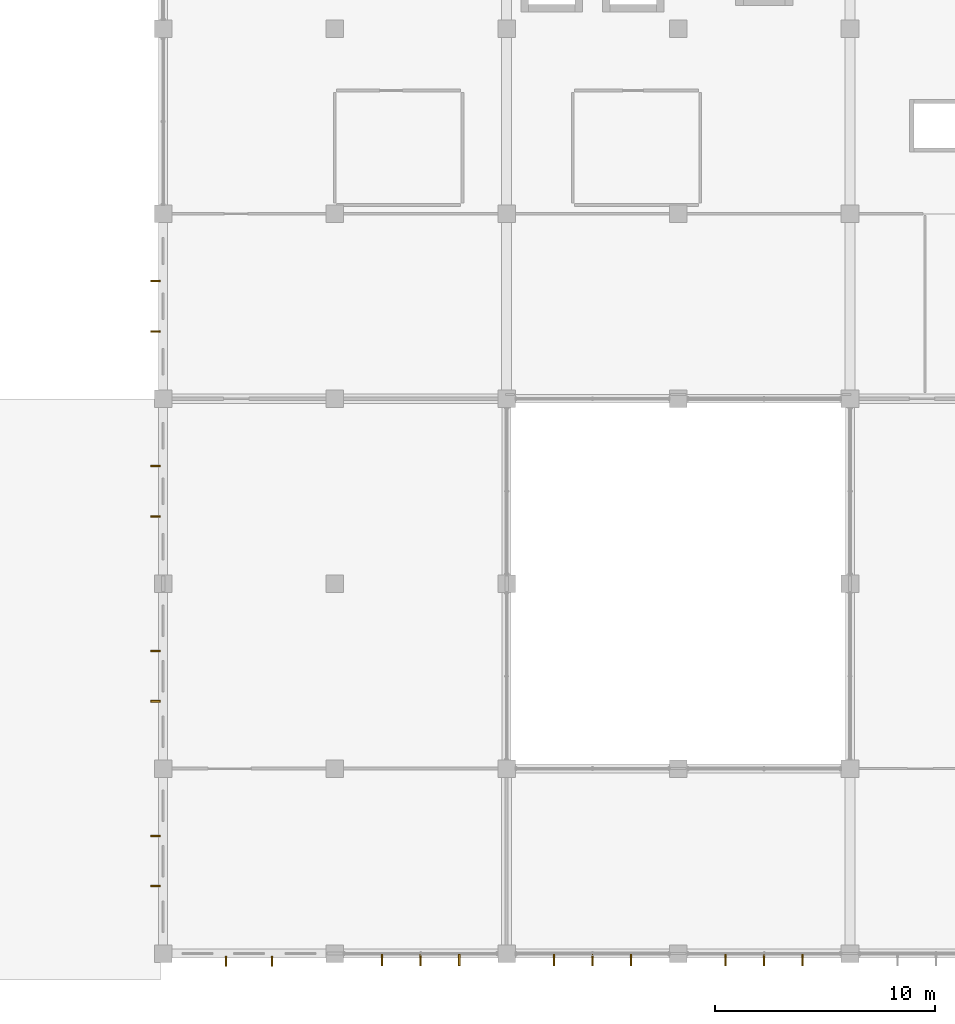
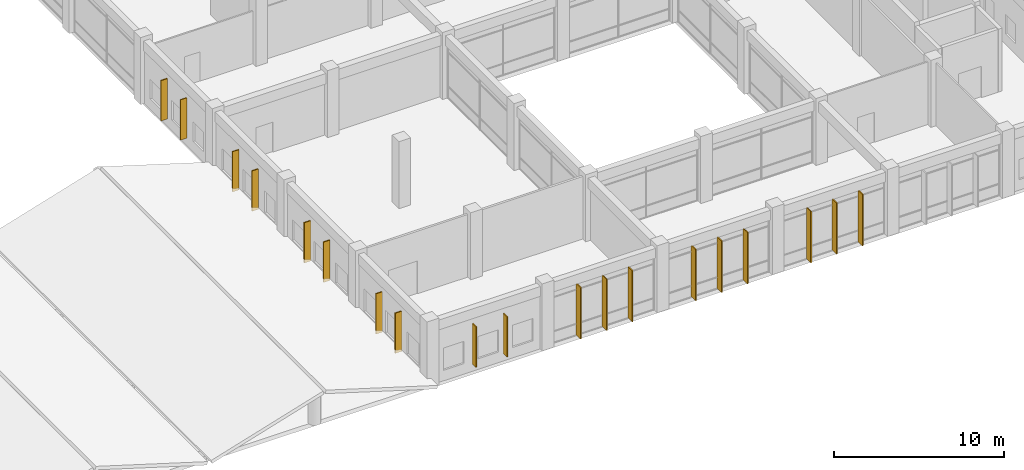
# One storey, part 55 of 62: 19 shading devices.
"""IFC4 building model written with IfcOpenShell, lengths in metres."""

import ifcopenshell
import ifcopenshell.guid

model = None  # the IFC model being written
_history = None  # IfcOwnerHistory: only IFC2X3 demands one
_inside = {}  # id of a spatial element -> (the spatial element, [elements in it])
_under = {}  # id of a project, library or spatial element -> (it, [spatial elements below it])
_declared = {}  # id of a project -> (the project, [libraries it declares])
_typed = {}  # id of a type object -> (the type object, [elements of that type])
_made_of = {}  # id of a material, layer set ... -> (it, [elements and type objects made of it])


def new_model(schema):
    """Start an empty IFC model of exactly this schema.

    Asked for "IFC4X3", IfcOpenShell would pick the latest addendum, in which some entities
    have other attributes; the version numbers below select the first issue.
    IFC2X3 requires an IfcOwnerHistory on every rooted entity: one is made here for all.
    """
    global model, _history
    if schema == "IFC4X3":
        model = ifcopenshell.file(schema_version=(4, 3, 0, 0))
    else:
        model = ifcopenshell.file(schema=schema)
    _inside.clear()
    _under.clear()
    _declared.clear()
    _typed.clear()
    _made_of.clear()
    _history = None
    if model.schema == "IFC2X3":
        org = make("IfcOrganization", Name="unknown")
        user = make(
            "IfcPersonAndOrganization",
            ThePerson=make("IfcPerson", FamilyName="unknown"),
            TheOrganization=org,
        )
        app = make(
            "IfcApplication",
            ApplicationDeveloper=org,
            Version="unknown",
            ApplicationFullName="unknown",
            ApplicationIdentifier="unknown",
        )
        _history = make(
            "IfcOwnerHistory",
            OwningUser=user,
            OwningApplication=app,
            ChangeAction="ADDED",
            CreationDate=0,
        )
    return model


def make(cls, **values):
    """One entity of the class cls with the attributes given. An attribute that is None is left unset."""
    return model.create_entity(
        cls, **{name: value for name, value in values.items() if value is not None}
    )


def rooted(cls, **values):
    """An entity with a GlobalId (a new one), such as an element, a storey or a relation."""
    return make(cls, GlobalId=ifcopenshell.guid.new(), OwnerHistory=_history, **values)


def si_unit(unit_type, name, prefix=None):
    """IfcSIUnit, for example si_unit("LENGTHUNIT", "METRE", prefix="MILLI")."""
    return make("IfcSIUnit", UnitType=unit_type, Prefix=prefix, Name=name)


def assignment(units):
    """IfcUnitAssignment: the units of a project."""
    return None if units is None else make("IfcUnitAssignment", Units=units)


def point(xyz):
    """IfcCartesianPoint."""
    return None if xyz is None else make("IfcCartesianPoint", Coordinates=xyz)


def direction(xyz):
    """IfcDirection."""
    return None if xyz is None else make("IfcDirection", DirectionRatios=xyz)


def frame(location, z_axis=None, x_axis=None):
    """IfcAxis2Placement3D, a coordinate frame: its origin and axes. An axis left out is left unset."""
    return make(
        "IfcAxis2Placement3D",
        Location=point(location),
        Axis=direction(z_axis),
        RefDirection=direction(x_axis),
    )


def frame_2d(location, x_axis=None):
    """IfcAxis2Placement2D, a coordinate frame in the plane: its origin and x axis."""
    return make(
        "IfcAxis2Placement2D", Location=point(location), RefDirection=direction(x_axis)
    )


def origin():
    """The frame at (0, 0, 0) with its axes left unset."""
    return frame((0.0, 0.0, 0.0))


def origin_2d():
    """The frame at (0, 0) in the plane with its x axis left unset."""
    return frame_2d((0.0, 0.0))


def place(relative_to, where):
    """IfcLocalPlacement: puts the frame where relative to a parent placement (None: the world)."""
    return make(
        "IfcLocalPlacement", PlacementRelTo=relative_to, RelativePlacement=where
    )


def context(
    kind, dimensions, precision=None, world=None, true_north=None, identifier=None
):
    """IfcGeometricRepresentationContext, for example the 3D "Model" context."""
    return make(
        "IfcGeometricRepresentationContext",
        ContextIdentifier=identifier,
        ContextType=kind,
        CoordinateSpaceDimension=dimensions,
        Precision=precision,
        WorldCoordinateSystem=world,
        TrueNorth=true_north,
    )


def subcontext(parent, identifier, kind, view, scale=None):
    """IfcGeometricRepresentationSubContext, for example "Body" below "Model"."""
    return make(
        "IfcGeometricRepresentationSubContext",
        ContextIdentifier=identifier,
        ContextType=kind,
        ParentContext=parent,
        TargetScale=scale,
        TargetView=view,
    )


def project(units=None, contexts=None):
    """IfcProject with its units and contexts."""
    return rooted(
        "IfcProject",
        Name="project",
        RepresentationContexts=contexts,
        UnitsInContext=assignment(units),
    )


def spatial(cls, under=None, at=None, **own):
    """A site, building, storey or space (cls), placed at a placement, below another one or the project."""
    s = rooted(cls, ObjectPlacement=at, **own)
    if under is not None:
        _under.setdefault(under.id(), (under, []))[1].append(s)
    return s


def profile(cls, at=None, kind="AREA", **sizes):
    """A parametric profile (cls). Its sizes go by their IFC names, for example OverallWidth=200.0."""
    return make(cls, ProfileType=kind, Position=at, **sizes)


def rectangle(**sizes):
    """IfcRectangleProfileDef."""
    return profile("IfcRectangleProfileDef", **sizes)


def extrude(swept, where, along, depth):
    """IfcExtrudedAreaSolid: the profile swept, set in the frame where, extruded along a direction by depth."""
    return make(
        "IfcExtrudedAreaSolid",
        SweptArea=swept,
        Position=where,
        ExtrudedDirection=direction(along),
        Depth=depth,
    )


def shape(context_of_items, identifier, shape_type, items):
    """IfcShapeRepresentation: the items that make up one representation, for example the "Body"."""
    return make(
        "IfcShapeRepresentation",
        ContextOfItems=context_of_items,
        RepresentationIdentifier=identifier,
        RepresentationType=shape_type,
        Items=items,
    )


def material(Name=None, Category=None):
    """IfcMaterial."""
    return make("IfcMaterial", Name=Name, Category=Category)


def layer(
    of_material, thickness, ventilated=None, Name=None, Category=None, Priority=None
):
    """IfcMaterialLayer: one layer of a wall or slab, of a material (None: an air gap)."""
    return make(
        "IfcMaterialLayer",
        Material=of_material,
        LayerThickness=thickness,
        IsVentilated=ventilated,
        Name=Name,
        Category=Category,
        Priority=Priority,
    )


def layer_set(layers, Name=None):
    """IfcMaterialLayerSet."""
    return make("IfcMaterialLayerSet", MaterialLayers=layers, LayerSetName=Name)


def made_of(thing, what):
    """Note that an element or type object is made of a material, layer set ...; save() writes the relation."""
    if what is not None:
        _made_of.setdefault(what.id(), (what, []))[1].append(thing)
    return thing


def type_object(cls, material=None, **own):
    """A type object (cls), such as IfcWallType, which elements share."""
    return made_of(rooted(cls, **own), material)


def element(
    cls,
    number,
    at=None,
    inside=None,
    cuts=None,
    type_object=None,
    material=None,
    context=None,
    identifier="Body",
    shape_type=None,
    held_by="IfcProductDefinitionShape",
    body=None,
    shapes=None,
    **own,
):
    """One element of the class cls, such as IfcWall. Its Tag is "e" and its number.

    at: its placement. inside: the storey or other place that contains it. cuts: it is an
    opening in that element (IfcRelVoidsElement). A single representation is given by context,
    identifier, shape_type and body (its items); several are given by shapes. held_by: the class
    of the entity that holds the representations. save() writes the other relations.
    """
    e = rooted(cls, Tag="e%d" % number, ObjectPlacement=at, **own)
    if body is not None:
        shapes = [shape(context, identifier, shape_type, body)]
    if shapes is not None:
        e.Representation = make(held_by, Representations=shapes)
    if inside is not None:
        _inside.setdefault(inside.id(), (inside, []))[1].append(e)
    if cuts is not None:
        rooted(
            "IfcRelVoidsElement", RelatingBuildingElement=cuts, RelatedOpeningElement=e
        )
    if type_object is not None:
        _typed.setdefault(type_object.id(), (type_object, []))[1].append(e)
    return made_of(e, material)


def aggregate(whole, parts):
    """IfcRelAggregates: a whole, such as a stair, and the parts it consists of."""
    return rooted("IfcRelAggregates", RelatingObject=whole, RelatedObjects=parts)


def save(model, path):
    """Write the relations noted so far, then the file.

    IfcRelAggregates (storeys below a building ...), IfcRelContainedInSpatialStructure (elements
    in a storey), IfcRelDefinesByType, IfcRelAssociatesMaterial and IfcRelDeclares: one each for
    every whole, place, type object, material and project.
    """
    for whole, parts in _under.values():
        aggregate(whole, parts)
    for where, things in _inside.values():
        rooted(
            "IfcRelContainedInSpatialStructure",
            RelatedElements=things,
            RelatingStructure=where,
        )
    for kind, things in _typed.values():
        rooted("IfcRelDefinesByType", RelatedObjects=things, RelatingType=kind)
    for what, things in _made_of.values():
        rooted("IfcRelAssociatesMaterial", RelatedObjects=things, RelatingMaterial=what)
    for by, libraries in _declared.values():
        rooted("IfcRelDeclares", RelatingContext=by, RelatedDefinitions=libraries)
    model.write(path)


model = new_model("IFC4")

# Units and contexts
model_context = context("Model", 3, precision=1e-05, world=origin(), true_north=direction((0.0, 1.0)))
body_context = subcontext(model_context, "Body", "Model", "MODEL_VIEW")
ifc_project = project(units=[si_unit("LENGTHUNIT", "METRE"), si_unit("AREAUNIT", "SQUARE_METRE"), si_unit("VOLUMEUNIT", "CUBIC_METRE"), si_unit("PLANEANGLEUNIT", "RADIAN"), si_unit("MASSUNIT", "GRAM", prefix="KILO"), si_unit("THERMODYNAMICTEMPERATUREUNIT", "KELVIN"), si_unit("POWERUNIT", "WATT")], contexts=[model_context])

# Site, building, storey
site_placement = place(None, origin())
site = spatial("IfcSite", under=ifc_project, at=site_placement, CompositionType="ELEMENT")
building_placement = place(site_placement, origin())
building = spatial("IfcBuilding", under=site, at=building_placement, Name="Srebrne Nadtorze General Hospital", CompositionType="ELEMENT")
storey_placement = place(building_placement, frame((0.0, 0.0, 9.60009765625)))
storey = spatial("IfcBuildingStorey", under=building, at=storey_placement, Name="L02", CompositionType="ELEMENT", Elevation=9.60009765625)

# Shading devices
ifc_material = material(Name="Anodised Aluminium", Category="aluminium")
ifc_layer = layer(ifc_material, 0.070068359375)
ifc_layer_set = layer_set([ifc_layer], Name="Anodised Aluminium")
shading_device_type = type_object("IfcShadingDeviceType", Name="Koushi vertical brise-soleil fin", PredefinedType="SHUTTER", material=ifc_layer_set)
for number, where, z_axis, x_axis, name in (
    (1, (104.25, -0.35009765625, 0.53173828125), (0.0, 0.0, 1.0), (1.0, 0.0, 0.0), "Clinic koushi vertical fin LV-130"),
    (2, (106.35009765625, -0.35009765625, 0.53173828125), (0.0, 0.0, 1.0), (1.0, 0.0, 0.0), "Clinic koushi vertical fin LV-131"),
):
    element("IfcShadingDevice", number, at=place(storey_placement, frame(where, z_axis=z_axis, x_axis=x_axis)), inside=storey, type_object=shading_device_type, Name=name, PredefinedType="SHUTTER", context=body_context, shape_type="SweptSolid", body=[
        extrude(rectangle(XDim=0.070068359375, YDim=0.43994140625, at=origin_2d()), origin(), (0.0, 0.0, 1.0), 2.887939453125),
    ])
for number, where, z_axis, x_axis, name in (
    (3, (111.35009765625, -0.300048828125, 0.06005859375), (0.0, 0.0, 1.0), (1.0, 0.0, 0.0), "Koushi vertical brise-soleil fin LV-132"),
    (4, (113.10009765625, -0.300048828125, 0.06005859375), (0.0, 0.0, 1.0), (1.0, 0.0, 0.0), "Koushi vertical brise-soleil fin LV-133"),
    (5, (114.85009765625, -0.300048828125, 0.06005859375), (0.0, 0.0, 1.0), (1.0, 0.0, 0.0), "Koushi vertical brise-soleil fin LV-134"),
    (6, (119.14990234375, -0.300048828125, 0.06005859375), (0.0, 0.0, 1.0), (1.0, 0.0, 0.0), "Koushi vertical brise-soleil fin LV-135"),
    (7, (120.89990234375, -0.300048828125, 0.06005859375), (0.0, 0.0, 1.0), (1.0, 0.0, 0.0), "Koushi vertical brise-soleil fin LV-136"),
    (8, (122.64990234375, -0.300048828125, 0.06005859375), (0.0, 0.0, 1.0), (1.0, 0.0, 0.0), "Koushi vertical brise-soleil fin LV-137"),
    (9, (126.949951171875, -0.300048828125, 0.06005859375), (0.0, 0.0, 1.0), (1.0, 0.0, 0.0), "Koushi vertical brise-soleil fin LV-138"),
    (10, (128.699951171875, -0.300048828125, 0.06005859375), (0.0, 0.0, 1.0), (1.0, 0.0, 0.0), "Koushi vertical brise-soleil fin LV-139"),
    (11, (130.449951171875, -0.300048828125, 0.06005859375), (0.0, 0.0, 1.0), (1.0, 0.0, 0.0), "Koushi vertical brise-soleil fin LV-140"),
):
    element("IfcShadingDevice", number, at=place(storey_placement, frame(where, z_axis=z_axis, x_axis=x_axis)), inside=storey, type_object=shading_device_type, Name=name, PredefinedType="SHUTTER", context=body_context, shape_type="SweptSolid", body=[
        extrude(rectangle(XDim=0.070068359375, YDim=0.52001953125, at=origin_2d()), origin(), (0.0, 0.0, 1.0), 3.679931640625),
    ])
for number, where, z_axis, x_axis, name in (
    (12, (101.050048828125, 3.06005859375, 0.53173828125), (0.0, 0.0, 1.0), (1.0, 0.0, 0.0), "Clinic koushi vertical fin LV-166"),
    (13, (101.050048828125, 5.340087890625, 0.53173828125), (0.0, 0.0, 1.0), (1.0, 0.0, 0.0), "Clinic koushi vertical fin LV-167"),
    (14, (101.050048828125, 11.4599609375, 0.53173828125), (0.0, 0.0, 1.0), (1.0, 0.0, 0.0), "Clinic koushi vertical fin LV-168"),
    (15, (101.050048828125, 13.739990234375, 0.53173828125), (0.0, 0.0, 1.0), (1.0, 0.0, 0.0), "Clinic koushi vertical fin LV-169"),
    (16, (101.050048828125, 19.860107421875, 0.53173828125), (0.0, 0.0, 1.0), (1.0, 0.0, 0.0), "Clinic koushi vertical fin LV-170"),
    (17, (101.050048828125, 22.139892578125, 0.53173828125), (0.0, 0.0, 1.0), (1.0, 0.0, 0.0), "Clinic koushi vertical fin LV-171"),
    (18, (101.050048828125, 28.260009765625, 0.53173828125), (0.0, 0.0, 1.0), (1.0, 0.0, 0.0), "Clinic koushi vertical fin LV-172"),
    (19, (101.050048828125, 30.5400390625, 0.53173828125), (0.0, 0.0, 1.0), (1.0, 0.0, 0.0), "Clinic koushi vertical fin LV-173"),
):
    element("IfcShadingDevice", number, at=place(storey_placement, frame(where, z_axis=z_axis, x_axis=x_axis)), inside=storey, type_object=shading_device_type, Name=name, PredefinedType="SHUTTER", context=body_context, shape_type="SweptSolid", body=[
        extrude(rectangle(XDim=0.43994140625, YDim=0.070068359375, at=origin_2d()), origin(), (0.0, 0.0, 1.0), 2.887939453125),
    ])

save(model, "model.ifc")
